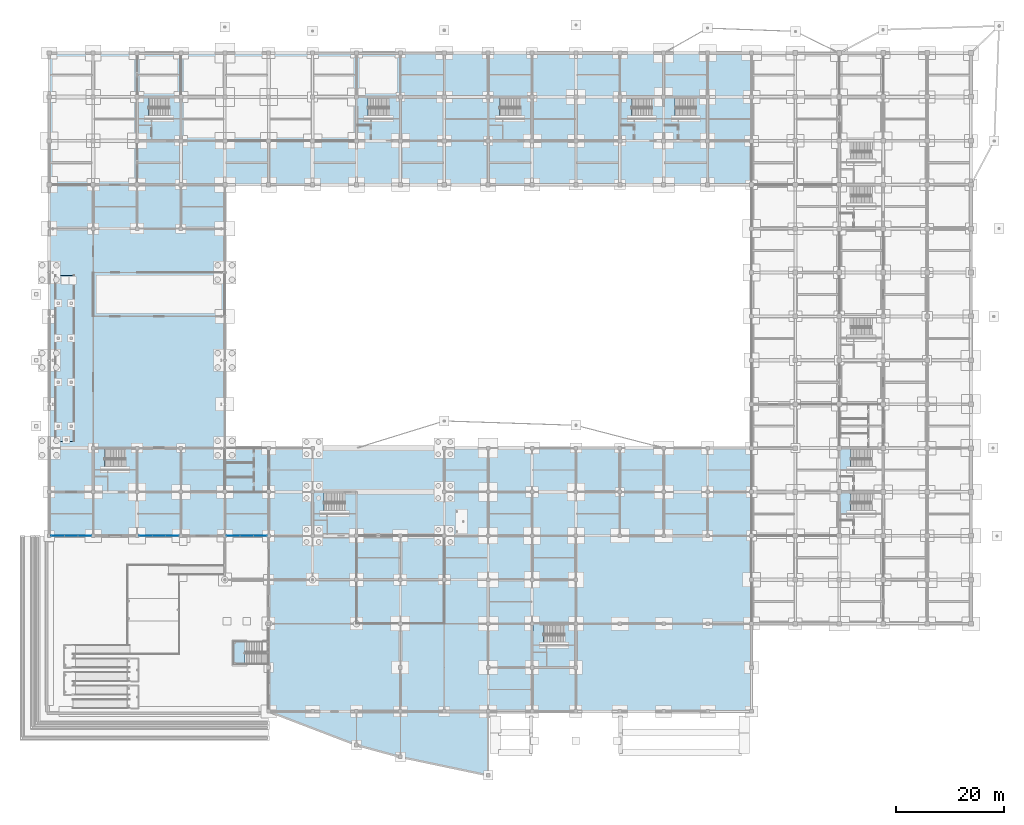
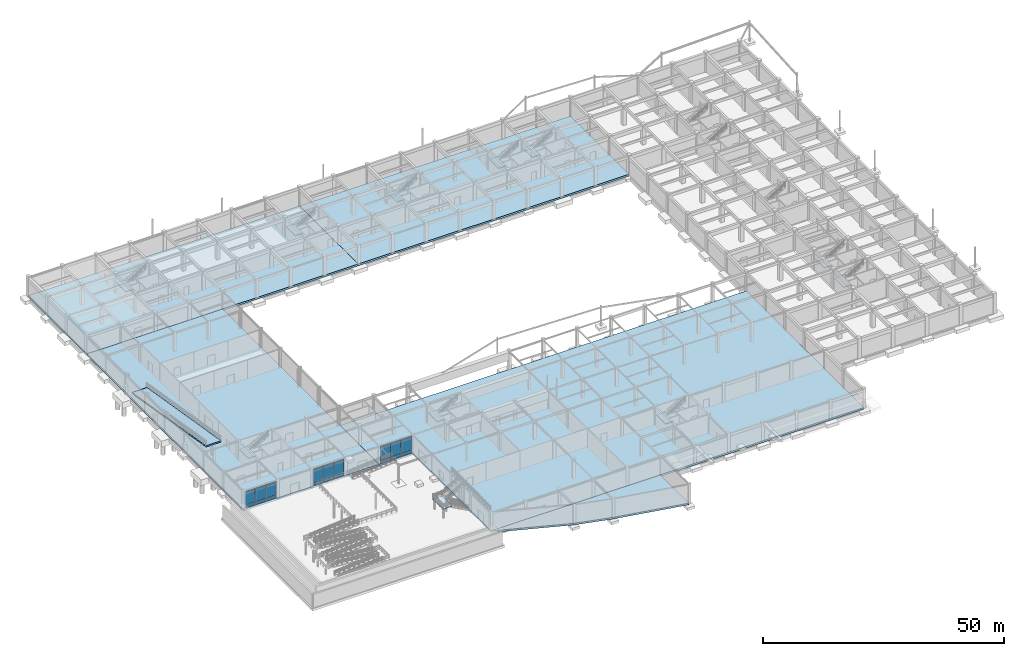
# One storey, part 43 of 67: 18 plates, 17 slabs, 14 elements without a shape of their own.
"""IFC4 building model written with IfcOpenShell, lengths in metres."""

from ifc_helpers import new_model, si_unit, direction, frame, origin, origin_2d, place, context, subcontext, project, spatial, polyline, rectangle, outline, extrude, material, layer, layer_set, type_object, element, aggregate, save


model = new_model("IFC4")

# Units and contexts
model_context = context("Model", 3, precision=1e-05, world=origin(), true_north=direction((0.0, 1.0)))
body_context = subcontext(model_context, "Body", "Model", "MODEL_VIEW")
ifc_project = project(units=[si_unit("LENGTHUNIT", "METRE"), si_unit("AREAUNIT", "SQUARE_METRE"), si_unit("VOLUMEUNIT", "CUBIC_METRE"), si_unit("PLANEANGLEUNIT", "RADIAN"), si_unit("MASSUNIT", "GRAM", prefix="KILO")], contexts=[model_context])

# Site, building, storey
site_placement = place(None, origin())
site = spatial("IfcSite", under=ifc_project, at=site_placement, CompositionType="ELEMENT")
building_placement = place(site_placement, origin())
building = spatial("IfcBuilding", under=site, at=building_placement, Name="Vaudrelin Polytechnic", CompositionType="ELEMENT")
storey_placement = place(building_placement, frame((0.0, 0.0, -5.10009765625)))
storey = spatial("IfcBuildingStorey", under=building, at=storey_placement, Name="B1", CompositionType="ELEMENT", Elevation=-5.10009765625)

# Curtain wall, plates
ifc_material_1 = material(Name="Thermally broken anodised aluminium AA 6063-T6 and low-e triple glazing", Category="aluminium")
ifc_layer_1 = layer(ifc_material_1, 0.199951171875)
ifc_layer_set_1 = layer_set([ifc_layer_1], Name="Thermally broken anodised aluminium AA 6063-T6 and low-e triple glazing")
curtain_wall_type = type_object("IfcCurtainWallType", Name="CW-CW-POR", PredefinedType="USERDEFINED", material=ifc_layer_set_1)
curtain_wall_1_placement = place(storey_placement, origin())
curtain_wall_1 = element("IfcCurtainWall", 1, at=curtain_wall_1_placement, inside=storey, type_object=curtain_wall_type, Name="Curtain wall B1 FC_N_00", ObjectType="CURTAIN WALL", PredefinedType="USERDEFINED")
ifc_material_2 = material(Name="Insulated ceramic-frit spandrel glass panel", Category="glass")
ifc_layer_2 = layer(ifc_material_2, 0.052001953125)
ifc_layer_set_2 = layer_set([ifc_layer_2], Name="Insulated ceramic-frit spandrel glass panel")
plate_type_1 = type_object("IfcPlateType", Name="PLT-GLZ-SPAND", PredefinedType="CURTAIN_PANEL", material=ifc_layer_set_2)
plate_1_placement = place(storey_placement, frame((1.565185546875, 32.39990234375, 0.09033203125), z_axis=(0.0, 0.0, 1.0), x_axis=(1.0, 0.0, 0.0)))
plate_1 = element("IfcPlate", 2, at=plate_1_placement, type_object=plate_type_1, Name="FC_N_00 spandrel panel 1", PredefinedType="CURTAIN_PANEL", context=body_context, shape_type="SweptSolid", body=[
    extrude(rectangle(XDim=2.384765625, YDim=0.052001953125, at=origin_2d()), origin(), (0.0, 0.0, 1.0), 0.699951171875),
])
plate_2_placement = place(storey_placement, frame((4.050048828125, 32.39990234375, 0.09033203125), z_axis=(0.0, 0.0, 1.0), x_axis=(1.0, 0.0, 0.0)))
plate_2 = element("IfcPlate", 3, at=plate_2_placement, type_object=plate_type_1, Name="FC_N_00 spandrel panel 2", PredefinedType="CURTAIN_PANEL", context=body_context, shape_type="SweptSolid", body=[
    extrude(rectangle(XDim=2.384765625, YDim=0.052001953125, at=origin_2d()), origin(), (0.0, 0.0, 1.0), 0.699951171875),
])
plate_3_placement = place(storey_placement, frame((6.53466796875, 32.39990234375, 0.09033203125), z_axis=(0.0, 0.0, 1.0), x_axis=(1.0, 0.0, 0.0)))
plate_3 = element("IfcPlate", 4, at=plate_3_placement, type_object=plate_type_1, Name="FC_N_00 spandrel panel 3", PredefinedType="CURTAIN_PANEL", context=body_context, shape_type="SweptSolid", body=[
    extrude(rectangle(XDim=2.384765625, YDim=0.052001953125, at=origin_2d()), origin(), (0.0, 0.0, 1.0), 0.699951171875),
])

curtain_wall_2_placement = place(storey_placement, origin())
curtain_wall_2 = element("IfcCurtainWall", 5, at=curtain_wall_2_placement, inside=storey, type_object=curtain_wall_type, Name="Curtain wall B1 FC_N_02", ObjectType="CURTAIN WALL", PredefinedType="USERDEFINED")
plate_4_placement = place(storey_placement, frame((17.765380859375, 32.39990234375, 0.09033203125), z_axis=(0.0, 0.0, 1.0), x_axis=(1.0, 0.0, 0.0)))
plate_4 = element("IfcPlate", 6, at=plate_4_placement, type_object=plate_type_1, Name="FC_N_02 spandrel panel 1", PredefinedType="CURTAIN_PANEL", context=body_context, shape_type="SweptSolid", body=[
    extrude(rectangle(XDim=2.384765625, YDim=0.052001953125, at=origin_2d()), origin(), (0.0, 0.0, 1.0), 0.699951171875),
])
plate_5_placement = place(storey_placement, frame((20.25, 32.39990234375, 0.09033203125), z_axis=(0.0, 0.0, 1.0), x_axis=(1.0, 0.0, 0.0)))
plate_5 = element("IfcPlate", 7, at=plate_5_placement, type_object=plate_type_1, Name="FC_N_02 spandrel panel 2", PredefinedType="CURTAIN_PANEL", context=body_context, shape_type="SweptSolid", body=[
    extrude(rectangle(XDim=2.384765625, YDim=0.052001953125, at=origin_2d()), origin(), (0.0, 0.0, 1.0), 0.699951171875),
])
plate_6_placement = place(storey_placement, frame((22.734619140625, 32.39990234375, 0.09033203125), z_axis=(0.0, 0.0, 1.0), x_axis=(1.0, 0.0, 0.0)))
plate_6 = element("IfcPlate", 8, at=plate_6_placement, type_object=plate_type_1, Name="FC_N_02 spandrel panel 3", PredefinedType="CURTAIN_PANEL", context=body_context, shape_type="SweptSolid", body=[
    extrude(rectangle(XDim=2.384765625, YDim=0.052001953125, at=origin_2d()), origin(), (0.0, 0.0, 1.0), 0.699951171875),
])

curtain_wall_3_placement = place(storey_placement, origin())
curtain_wall_3 = element("IfcCurtainWall", 9, at=curtain_wall_3_placement, inside=storey, type_object=curtain_wall_type, Name="Curtain wall B1 FC_N_04", ObjectType="CURTAIN WALL", PredefinedType="USERDEFINED")
plate_7_placement = place(storey_placement, frame((33.96533203125, 32.39990234375, 0.09033203125), z_axis=(0.0, 0.0, 1.0), x_axis=(1.0, 0.0, 0.0)))
plate_7 = element("IfcPlate", 10, at=plate_7_placement, type_object=plate_type_1, Name="FC_N_04 spandrel panel 1", PredefinedType="CURTAIN_PANEL", context=body_context, shape_type="SweptSolid", body=[
    extrude(rectangle(XDim=2.384765625, YDim=0.052001953125, at=origin_2d()), origin(), (0.0, 0.0, 1.0), 0.699951171875),
])
plate_8_placement = place(storey_placement, frame((36.449951171875, 32.39990234375, 0.09033203125), z_axis=(0.0, 0.0, 1.0), x_axis=(1.0, 0.0, 0.0)))
plate_8 = element("IfcPlate", 11, at=plate_8_placement, type_object=plate_type_1, Name="FC_N_04 spandrel panel 2", PredefinedType="CURTAIN_PANEL", context=body_context, shape_type="SweptSolid", body=[
    extrude(rectangle(XDim=2.384765625, YDim=0.052001953125, at=origin_2d()), origin(), (0.0, 0.0, 1.0), 0.699951171875),
])
plate_9_placement = place(storey_placement, frame((38.934814453125, 32.39990234375, 0.09033203125), z_axis=(0.0, 0.0, 1.0), x_axis=(1.0, 0.0, 0.0)))
plate_9 = element("IfcPlate", 12, at=plate_9_placement, type_object=plate_type_1, Name="FC_N_04 spandrel panel 3", PredefinedType="CURTAIN_PANEL", context=body_context, shape_type="SweptSolid", body=[
    extrude(rectangle(XDim=2.384765625, YDim=0.052001953125, at=origin_2d()), origin(), (0.0, 0.0, 1.0), 0.699951171875),
])

# Plate
ifc_material_3 = material(Name="Triple low-e argon insulated glazing unit", Category="glass")
ifc_layer_3 = layer(ifc_material_3, 0.0439453125)
ifc_layer_set_3 = layer_set([ifc_layer_3], Name="Triple low-e argon insulated glazing unit")
plate_type_2 = type_object("IfcPlateType", Name="PLT-GLZ-TRIPLE", PredefinedType="CURTAIN_PANEL", material=ifc_layer_set_3)
plate_10_placement = place(storey_placement, frame((1.565185546875, 32.39990234375, 0.900146484375), z_axis=(0.0, 0.0, 1.0), x_axis=(1.0, 0.0, 0.0)))
plate_10 = element("IfcPlate", 13, at=plate_10_placement, type_object=plate_type_2, Name="FC_N_00 vision panel 1", PredefinedType="CURTAIN_PANEL", context=body_context, shape_type="SweptSolid", body=[
    extrude(rectangle(XDim=2.384765625, YDim=0.0439453125, at=origin_2d()), origin(), (0.0, 0.0, 1.0), 3.3720703125),
])

plate_11_placement = place(storey_placement, frame((4.050048828125, 32.39990234375, 0.900146484375), z_axis=(0.0, 0.0, 1.0), x_axis=(1.0, 0.0, 0.0)))
plate_11 = element("IfcPlate", 14, at=plate_11_placement, type_object=plate_type_2, Name="FC_N_00 vision panel 2", PredefinedType="CURTAIN_PANEL", context=body_context, shape_type="SweptSolid", body=[
    extrude(rectangle(XDim=2.384765625, YDim=0.0439453125, at=origin_2d()), origin(), (0.0, 0.0, 1.0), 3.3720703125),
])

plate_12_placement = place(storey_placement, frame((6.53466796875, 32.39990234375, 0.900146484375), z_axis=(0.0, 0.0, 1.0), x_axis=(1.0, 0.0, 0.0)))
plate_12 = element("IfcPlate", 15, at=plate_12_placement, type_object=plate_type_2, Name="FC_N_00 vision panel 3", PredefinedType="CURTAIN_PANEL", context=body_context, shape_type="SweptSolid", body=[
    extrude(rectangle(XDim=2.384765625, YDim=0.0439453125, at=origin_2d()), origin(), (0.0, 0.0, 1.0), 3.3720703125),
])

aggregate(curtain_wall_1, [plate_1, plate_10, plate_2, plate_11, plate_3, plate_12])

plate_13_placement = place(storey_placement, frame((17.765380859375, 32.39990234375, 0.89990234375), z_axis=(0.0, 0.0, 1.0), x_axis=(1.0, 0.0, 0.0)))
plate_13 = element("IfcPlate", 16, at=plate_13_placement, type_object=plate_type_2, Name="FC_N_02 vision panel 1", PredefinedType="CURTAIN_PANEL", context=body_context, shape_type="SweptSolid", body=[
    extrude(rectangle(XDim=2.384765625, YDim=0.0439453125, at=origin_2d()), origin(), (0.0, 0.0, 1.0), 3.366943359375),
])

plate_14_placement = place(storey_placement, frame((20.25, 32.39990234375, 0.89990234375), z_axis=(0.0, 0.0, 1.0), x_axis=(1.0, 0.0, 0.0)))
plate_14 = element("IfcPlate", 17, at=plate_14_placement, type_object=plate_type_2, Name="FC_N_02 vision panel 2", PredefinedType="CURTAIN_PANEL", context=body_context, shape_type="SweptSolid", body=[
    extrude(rectangle(XDim=2.384765625, YDim=0.0439453125, at=origin_2d()), origin(), (0.0, 0.0, 1.0), 3.366943359375),
])

plate_15_placement = place(storey_placement, frame((22.734619140625, 32.39990234375, 0.89990234375), z_axis=(0.0, 0.0, 1.0), x_axis=(1.0, 0.0, 0.0)))
plate_15 = element("IfcPlate", 18, at=plate_15_placement, type_object=plate_type_2, Name="FC_N_02 vision panel 3", PredefinedType="CURTAIN_PANEL", context=body_context, shape_type="SweptSolid", body=[
    extrude(rectangle(XDim=2.384765625, YDim=0.0439453125, at=origin_2d()), origin(), (0.0, 0.0, 1.0), 3.366943359375),
])

aggregate(curtain_wall_2, [plate_4, plate_13, plate_5, plate_14, plate_6, plate_15])

plate_16_placement = place(storey_placement, frame((33.96533203125, 32.39990234375, 0.900146484375), z_axis=(0.0, 0.0, 1.0), x_axis=(1.0, 0.0, 0.0)))
plate_16 = element("IfcPlate", 19, at=plate_16_placement, type_object=plate_type_2, Name="FC_N_04 vision panel 1", PredefinedType="CURTAIN_PANEL", context=body_context, shape_type="SweptSolid", body=[
    extrude(rectangle(XDim=2.384765625, YDim=0.0439453125, at=origin_2d()), origin(), (0.0, 0.0, 1.0), 3.51611328125),
])

plate_17_placement = place(storey_placement, frame((36.449951171875, 32.39990234375, 0.900146484375), z_axis=(0.0, 0.0, 1.0), x_axis=(1.0, 0.0, 0.0)))
plate_17 = element("IfcPlate", 20, at=plate_17_placement, type_object=plate_type_2, Name="FC_N_04 vision panel 2", PredefinedType="CURTAIN_PANEL", context=body_context, shape_type="SweptSolid", body=[
    extrude(rectangle(XDim=2.384765625, YDim=0.0439453125, at=origin_2d()), origin(), (0.0, 0.0, 1.0), 3.51611328125),
])

plate_18_placement = place(storey_placement, frame((38.934814453125, 32.39990234375, 0.900146484375), z_axis=(0.0, 0.0, 1.0), x_axis=(1.0, 0.0, 0.0)))
plate_18 = element("IfcPlate", 21, at=plate_18_placement, type_object=plate_type_2, Name="FC_N_04 vision panel 3", PredefinedType="CURTAIN_PANEL", context=body_context, shape_type="SweptSolid", body=[
    extrude(rectangle(XDim=2.384765625, YDim=0.0439453125, at=origin_2d()), origin(), (0.0, 0.0, 1.0), 3.51611328125),
])

aggregate(curtain_wall_3, [plate_7, plate_16, plate_8, plate_17, plate_9, plate_18])

# Stair, slab
ifc_material_4 = material(Name="Concrete 35 MPa", Category="concrete")
stair_type_1 = type_object("IfcStairType", Name="STR-ST-CORE", PredefinedType="TWO_STRAIGHT_RUN_STAIR", material=ifc_material_4)
stair_1_placement = place(storey_placement, origin())
stair_1 = element("IfcStair", 22, at=stair_1_placement, inside=storey, type_object=stair_type_1, Name="Exit stair ST-01-B1", PredefinedType="TWO_STRAIGHT_RUN_STAIR")
ifc_layer_4 = layer(ifc_material_4, 0.219970703125)
ifc_layer_set_4 = layer_set([ifc_layer_4], Name="Concrete 35 MPa")
slab_type_1 = type_object("IfcSlabType", Name="SLB-LND220", PredefinedType="LANDING", material=ifc_layer_set_4)
slab_1_placement = place(storey_placement, frame((0.0, 0.0, 2.330078125)))
slab_1 = element("IfcSlab", 23, at=slab_1_placement, type_object=slab_type_1, Name="ST-01-B1 landing 1", PredefinedType="LANDING", context=body_context, shape_type="SweptSolid", body=[
    extrude(outline(polyline([(16.340087890625, 109.4599609375), (18.31005859375, 109.4599609375), (18.31005859375, 113.300048828125), (16.340087890625, 113.300048828125), (16.340087890625, 109.4599609375)])), origin(), (0.0, 0.0, 1.0), 0.219970703125),
])
aggregate(stair_1, [slab_1])

stair_2_placement = place(storey_placement, origin())
stair_2 = element("IfcStair", 24, at=stair_2_placement, inside=storey, type_object=stair_type_1, Name="Exit stair ST-02-B1", PredefinedType="TWO_STRAIGHT_RUN_STAIR")
slab_2_placement = place(storey_placement, frame((0.0, 0.0, 2.330078125)))
slab_2 = element("IfcSlab", 25, at=slab_2_placement, type_object=slab_type_1, Name="ST-02-B1 landing 1", PredefinedType="LANDING", context=body_context, shape_type="SweptSolid", body=[
    extrude(outline(polyline([(81.139892578125, 109.4599609375), (83.110107421875, 109.4599609375), (83.110107421875, 113.300048828125), (81.139892578125, 113.300048828125), (81.139892578125, 109.4599609375)])), origin(), (0.0, 0.0, 1.0), 0.219970703125),
])
aggregate(stair_2, [slab_2])

stair_3_placement = place(storey_placement, origin())
stair_3 = element("IfcStair", 26, at=stair_3_placement, inside=storey, type_object=stair_type_1, Name="Exit stair ST-03-B1", PredefinedType="TWO_STRAIGHT_RUN_STAIR")
slab_3_placement = place(storey_placement, frame((0.0, 0.0, 2.330078125)))
slab_3 = element("IfcSlab", 27, at=slab_3_placement, type_object=slab_type_1, Name="ST-03-B1 landing 1", PredefinedType="LANDING", context=body_context, shape_type="SweptSolid", body=[
    extrude(outline(polyline([(8.239990234375, 44.659912109375), (10.2099609375, 44.659912109375), (10.2099609375, 48.5), (8.239990234375, 48.5), (8.239990234375, 44.659912109375)])), origin(), (0.0, 0.0, 1.0), 0.219970703125),
])
aggregate(stair_3, [slab_3])

stair_4_placement = place(storey_placement, origin())
stair_4 = element("IfcStair", 28, at=stair_4_placement, inside=storey, type_object=stair_type_1, Name="Exit stair ST-04-B1", PredefinedType="TWO_STRAIGHT_RUN_STAIR")
slab_4_placement = place(storey_placement, frame((0.0, 0.0, 2.330078125)))
slab_4 = element("IfcSlab", 29, at=slab_4_placement, type_object=slab_type_1, Name="ST-04-B1 landing 1", PredefinedType="LANDING", context=body_context, shape_type="SweptSolid", body=[
    extrude(outline(polyline([(48.739990234375, 36.56005859375), (50.7099609375, 36.56005859375), (50.7099609375, 40.39990234375), (48.739990234375, 40.39990234375), (48.739990234375, 36.56005859375)])), origin(), (0.0, 0.0, 1.0), 0.219970703125),
])
aggregate(stair_4, [slab_4])

stair_5_placement = place(storey_placement, origin())
stair_5 = element("IfcStair", 30, at=stair_5_placement, inside=storey, type_object=stair_type_1, Name="Exit stair ST-05-B1", PredefinedType="TWO_STRAIGHT_RUN_STAIR")
slab_5_placement = place(storey_placement, frame((0.0, 0.0, 2.330078125)))
slab_5 = element("IfcSlab", 31, at=slab_5_placement, type_object=slab_type_1, Name="ST-05-B1 landing 1", PredefinedType="LANDING", context=body_context, shape_type="SweptSolid", body=[
    extrude(outline(polyline([(89.239990234375, 12.260009765625), (91.2099609375, 12.260009765625), (91.2099609375, 16.10009765625), (89.239990234375, 16.10009765625), (89.239990234375, 12.260009765625)])), origin(), (0.0, 0.0, 1.0), 0.219970703125),
])
aggregate(stair_5, [slab_5])

stair_6_placement = place(storey_placement, origin())
stair_6 = element("IfcStair", 32, at=stair_6_placement, inside=storey, type_object=stair_type_1, Name="Exit stair ST-08-B1", PredefinedType="TWO_STRAIGHT_RUN_STAIR")
slab_6_placement = place(storey_placement, frame((0.0, 0.0, 2.330078125)))
slab_6 = element("IfcSlab", 33, at=slab_6_placement, type_object=slab_type_1, Name="ST-08-B1 landing 1", PredefinedType="LANDING", context=body_context, shape_type="SweptSolid", body=[
    extrude(outline(polyline([(145.93994140625, 36.56005859375), (147.909912109375, 36.56005859375), (147.909912109375, 40.39990234375), (145.93994140625, 40.39990234375), (145.93994140625, 36.56005859375)])), origin(), (0.0, 0.0, 1.0), 0.219970703125),
])
aggregate(stair_6, [slab_6])

stair_7_placement = place(storey_placement, origin())
stair_7 = element("IfcStair", 34, at=stair_7_placement, inside=storey, type_object=stair_type_1, Name="Exit stair ST-09-B1", PredefinedType="TWO_STRAIGHT_RUN_STAIR")
slab_7_placement = place(storey_placement, frame((0.0, 0.0, 2.330078125)))
slab_7 = element("IfcSlab", 35, at=slab_7_placement, type_object=slab_type_1, Name="ST-09-B1 landing 1", PredefinedType="LANDING", context=body_context, shape_type="SweptSolid", body=[
    extrude(outline(polyline([(56.840087890625, 109.4599609375), (58.81005859375, 109.4599609375), (58.81005859375, 113.300048828125), (56.840087890625, 113.300048828125), (56.840087890625, 109.4599609375)])), origin(), (0.0, 0.0, 1.0), 0.219970703125),
])
aggregate(stair_7, [slab_7])

stair_8_placement = place(storey_placement, origin())
stair_8 = element("IfcStair", 36, at=stair_8_placement, inside=storey, type_object=stair_type_1, Name="Exit stair ST-10-B1", PredefinedType="TWO_STRAIGHT_RUN_STAIR")
slab_8_placement = place(storey_placement, frame((0.0, 0.0, 2.330078125)))
slab_8 = element("IfcSlab", 37, at=slab_8_placement, type_object=slab_type_1, Name="ST-10-B1 landing 1", PredefinedType="LANDING", context=body_context, shape_type="SweptSolid", body=[
    extrude(outline(polyline([(113.5400390625, 109.4599609375), (115.510009765625, 109.4599609375), (115.510009765625, 113.300048828125), (113.5400390625, 113.300048828125), (113.5400390625, 109.4599609375)])), origin(), (0.0, 0.0, 1.0), 0.219970703125),
])
aggregate(stair_8, [slab_8])

stair_9_placement = place(storey_placement, origin())
stair_9 = element("IfcStair", 38, at=stair_9_placement, inside=storey, type_object=stair_type_1, Name="Exit stair ST-11-B1", PredefinedType="TWO_STRAIGHT_RUN_STAIR")
slab_9_placement = place(storey_placement, frame((0.0, 0.0, 2.330078125)))
slab_9 = element("IfcSlab", 39, at=slab_9_placement, type_object=slab_type_1, Name="ST-11-B1 landing 1", PredefinedType="LANDING", context=body_context, shape_type="SweptSolid", body=[
    extrude(outline(polyline([(105.43994140625, 109.4599609375), (107.409912109375, 109.4599609375), (107.409912109375, 113.300048828125), (105.43994140625, 113.300048828125), (105.43994140625, 109.4599609375)])), origin(), (0.0, 0.0, 1.0), 0.219970703125),
])
aggregate(stair_9, [slab_9])

stair_10_placement = place(storey_placement, origin())
stair_10 = element("IfcStair", 40, at=stair_10_placement, inside=storey, type_object=stair_type_1, Name="Exit stair ST-12-B1", PredefinedType="TWO_STRAIGHT_RUN_STAIR")
slab_10_placement = place(storey_placement, frame((0.0, 0.0, 2.330078125)))
slab_10 = element("IfcSlab", 41, at=slab_10_placement, type_object=slab_type_1, Name="ST-12-B1 landing 1", PredefinedType="LANDING", context=body_context, shape_type="SweptSolid", body=[
    extrude(outline(polyline([(145.93994140625, 44.659912109375), (147.909912109375, 44.659912109375), (147.909912109375, 48.5), (145.93994140625, 48.5), (145.93994140625, 44.659912109375)])), origin(), (0.0, 0.0, 1.0), 0.219970703125),
])
aggregate(stair_10, [slab_10])

ifc_material_5 = material(Name="Steel Grade 350 (CSA G40.21 350W)", Category="steel")
stair_type_2 = type_object("IfcStairType", Name="STR-ST-FEAT", PredefinedType="TWO_STRAIGHT_RUN_STAIR", material=ifc_material_5)
stair_11_placement = place(storey_placement, origin())
stair_11 = element("IfcStair", 42, at=stair_11_placement, inside=storey, type_object=stair_type_2, Name="Feature stair ST-FC1", PredefinedType="TWO_STRAIGHT_RUN_STAIR")
slab_11_placement = place(storey_placement, frame((0.0, 0.0, 2.330078125)))
slab_11 = element("IfcSlab", 43, at=slab_11_placement, type_object=slab_type_1, Name="ST-FC1 landing 1", PredefinedType="LANDING", context=body_context, shape_type="SweptSolid", body=[
    extrude(outline(polyline([(34.0, 8.699951171875), (36.14990234375, 8.699951171875), (36.14990234375, 12.89990234375), (34.0, 12.89990234375), (34.0, 8.699951171875)])), origin(), (0.0, 0.0, 1.0), 0.219970703125),
])
aggregate(stair_11, [slab_11])

# Slabs
ifc_layer_5 = layer(ifc_material_4, 0.449951171875)
ifc_layer_set_5 = layer_set([ifc_layer_5], Name="Concrete 35 MPa")
slab_type_2 = type_object("IfcSlabType", Name="SLB-SL-B450", PredefinedType="BASESLAB", material=ifc_layer_set_5)
slab_12_placement = place(storey_placement, frame((0.0, 0.0, -0.449951171875)))
element("IfcSlab", 44, at=slab_12_placement, inside=storey, type_object=slab_type_2, Name="B1 floor slab B1-V5W", PredefinedType="BASESLAB", context=body_context, shape_type="SweptSolid", body=[
    extrude(outline(polyline([(0.0, 97.199951171875), (64.800048828125, 97.199951171875), (64.800048828125, 121.5), (0.0, 121.5), (0.0, 97.199951171875)])), origin(), (0.0, 0.0, 1.0), 0.449951171875),
])
slab_13_placement = place(storey_placement, frame((0.0, 0.0, -0.449951171875)))
element("IfcSlab", 45, at=slab_13_placement, inside=storey, type_object=slab_type_2, Name="B1 floor slab B1-V5E", PredefinedType="BASESLAB", context=body_context, shape_type="SweptSolid", body=[
    extrude(outline(polyline([(64.800048828125, 97.199951171875), (129.60009765625, 97.199951171875), (129.60009765625, 121.5), (64.800048828125, 121.5), (64.800048828125, 97.199951171875)])), origin(), (0.0, 0.0, 1.0), 0.449951171875),
])
slab_14_placement = place(storey_placement, frame((0.0, 0.0, -0.449951171875)))
element("IfcSlab", 46, at=slab_14_placement, inside=storey, type_object=slab_type_2, Name="B1 floor slab B1-V236", PredefinedType="BASESLAB", context=body_context, shape_type="SweptSolid", body=[
    extrude(outline(polyline([(32.39990234375, 32.39990234375), (40.5, 32.39990234375), (40.5, 0.0), (129.60009765625, 0.0), (129.60009765625, 48.60009765625), (32.39990234375, 48.60009765625), (32.39990234375, 32.39990234375)])), origin(), (0.0, 0.0, 1.0), 0.449951171875),
])
slab_15_placement = place(storey_placement, frame((0.0, 0.0, -0.449951171875)))
element("IfcSlab", 47, at=slab_15_placement, inside=storey, type_object=slab_type_2, Name="Lecture wedge oblique prow slab B1", PredefinedType="BASESLAB", context=body_context, shape_type="SweptSolid", body=[
    extrude(outline(polyline([(40.5, 0.0), (56.699951171875, -6.199951171875), (64.800048828125, -8.39990234375), (81.0, -11.800048828125), (81.0, 0.0), (40.5, 0.0)])), origin(), (0.0, 0.0, 1.0), 0.449951171875),
])
ifc_layer_6 = layer(ifc_material_4, 0.5)
ifc_layer_set_6 = layer_set([ifc_layer_6], Name="Concrete 35 MPa")
slab_type_3 = type_object("IfcSlabType", Name="SLB-SL-B500", PredefinedType="BASESLAB", material=ifc_layer_set_6)
slab_16_placement = place(storey_placement, frame((0.0, 0.0, -0.5)))
element("IfcSlab", 48, at=slab_16_placement, inside=storey, type_object=slab_type_3, Name="B1 floor slab B1-V1", PredefinedType="BASESLAB", context=body_context, shape_type="SweptSolid", body=[
    extrude(outline(polyline([(0.0, 32.39990234375), (32.39990234375, 32.39990234375), (32.39990234375, 97.199951171875), (0.0, 97.199951171875), (0.0, 32.39990234375)]), holes=[polyline([(1.0400390625, 78.60009765625), (4.679931640625, 78.60009765625), (4.679931640625, 80.4599609375), (1.0400390625, 80.4599609375), (1.0400390625, 78.60009765625)])]), origin(), (0.0, 0.0, 1.0), 0.5),
])
ifc_material_6 = material(Name="Concrete 40 MPa", Category="concrete")
ifc_layer_7 = layer(ifc_material_6, 0.300048828125)
ifc_layer_set_7 = layer_set([ifc_layer_7], Name="Concrete 40 MPa")
slab_type_4 = type_object("IfcSlabType", Name="SLB-SL-VRMP300", PredefinedType="FLOOR", material=ifc_layer_set_7)
slab_17_placement = place(storey_placement, frame((1.06005859375, 80.43994140625, 0.0), z_axis=(0.0, 0.164402815918, 0.986393285722), x_axis=(1.0, 0.0, 0.0)))
element("IfcSlab", 49, at=slab_17_placement, inside=storey, type_object=slab_type_4, Name="Workshop vehicle service ramp R-VEH1", PredefinedType="FLOOR", context=body_context, shape_type="SweptSolid", body=[
    extrude(outline(polyline([(0.0, 0.0), (3.599853515625, 0.0), (3.599853515625, -31.02196046804577), (0.0, -31.02196046804577), (0.0, 0.0)])), origin(), (0.0, 0.0, -1.0), 0.300048828125),
])

save(model, "model.ifc")
